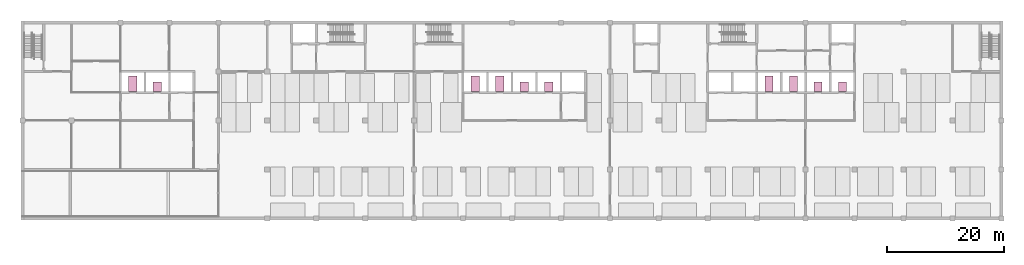
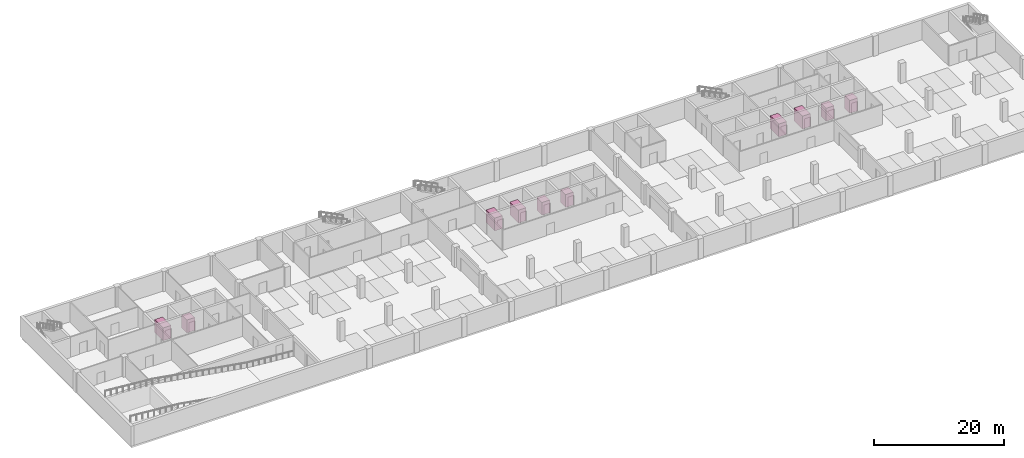
# One storey, part 12 of 14: 10 transport elements.
"""IFC4 building model written with IfcOpenShell, lengths in metres."""

from ifc_helpers import new_model, si_unit, direction, frame, origin, origin_2d, place, context, subcontext, project, spatial, rectangle, extrude, material, type_object, element, save


model = new_model("IFC4")

# Units and contexts
model_context = context("Model", 3, precision=1e-05, world=origin(), true_north=direction((0.0, 1.0)))
body_context = subcontext(model_context, "Body", "Model", "MODEL_VIEW")
ifc_project = project(units=[si_unit("LENGTHUNIT", "METRE"), si_unit("AREAUNIT", "SQUARE_METRE"), si_unit("VOLUMEUNIT", "CUBIC_METRE"), si_unit("PLANEANGLEUNIT", "RADIAN"), si_unit("MASSUNIT", "GRAM", prefix="KILO")], contexts=[model_context])

# Site, building, storey
site_placement = place(None, origin())
site = spatial("IfcSite", under=ifc_project, at=site_placement, CompositionType="ELEMENT")
building_placement = place(site_placement, origin())
building = spatial("IfcBuilding", under=site, at=building_placement, Name="Yavir Park General Hospital", CompositionType="ELEMENT")
storey_placement = place(building_placement, frame((0.0, 0.0, -4.199951171875)))
storey = spatial("IfcBuildingStorey", under=building, at=storey_placement, Name="B1", CompositionType="ELEMENT", Elevation=-4.199951171875)

# Transport elements
ifc_material_1 = material(Name="Stainless steel", Category="steel")
transport_element_type_1 = type_object("IfcTransportElementType", Name="Lift car 1400 x 1600 mm, 1000 kg", PredefinedType="ELEVATOR", material=ifc_material_1)
for number, where, z_axis, x_axis, name in (
    (1, (86.10009765625, 22.60009765625, 0.0), (0.0, 0.0, 1.0), (1.0, 0.0, 0.0), "Lift PL1"),
    (2, (90.300048828125, 22.60009765625, 0.0), (0.0, 0.0, 1.0), (1.0, 0.0, 0.0), "Lift PL2"),
    (3, (23.10009765625, 22.60009765625, 0.0), (0.0, 0.0, 1.0), (1.0, 0.0, 0.0), "Lift PL3"),
    (4, (136.5, 22.60009765625, 0.0), (0.0, 0.0, 1.0), (1.0, 0.0, 0.0), "Lift PL4"),
    (5, (140.699951171875, 22.60009765625, 0.0), (0.0, 0.0, 1.0), (1.0, 0.0, 0.0), "Lift PL5"),
):
    element("IfcTransportElement", number, at=place(storey_placement, frame(where, z_axis=z_axis, x_axis=x_axis)), inside=storey, type_object=transport_element_type_1, Name=name, PredefinedType="ELEVATOR", context=body_context, shape_type="SweptSolid", body=[
        extrude(rectangle(XDim=1.39990234375, YDim=1.60009765625, at=origin_2d()), origin(), (0.0, 0.0, 1.0), 2.39990234375),
    ])
ifc_material_2 = material(Name="Stainless steel", Category="steel")
transport_element_type_2 = type_object("IfcTransportElementType", Name="Lift car 1400 x 2600 mm, 2500 kg", PredefinedType="ELEVATOR", material=ifc_material_2)
for number, where, z_axis, x_axis, name in (
    (6, (77.699951171875, 23.10009765625, 0.0), (0.0, 0.0, 1.0), (1.0, 0.0, 0.0), "Lift BL1"),
    (7, (81.89990234375, 23.10009765625, 0.0), (0.0, 0.0, 1.0), (1.0, 0.0, 0.0), "Lift BL2"),
    (8, (18.89990234375, 23.10009765625, 0.0), (0.0, 0.0, 1.0), (1.0, 0.0, 0.0), "Lift BL3"),
    (9, (128.10009765625, 23.10009765625, 0.0), (0.0, 0.0, 1.0), (1.0, 0.0, 0.0), "Lift BL4"),
    (10, (132.300048828125, 23.10009765625, 0.0), (0.0, 0.0, 1.0), (1.0, 0.0, 0.0), "Lift BL5"),
):
    element("IfcTransportElement", number, at=place(storey_placement, frame(where, z_axis=z_axis, x_axis=x_axis)), inside=storey, type_object=transport_element_type_2, Name=name, PredefinedType="ELEVATOR", context=body_context, shape_type="SweptSolid", body=[
        extrude(rectangle(XDim=1.39990234375, YDim=2.60009765625, at=origin_2d()), origin(), (0.0, 0.0, 1.0), 2.39990234375),
    ])

save(model, "model.ifc")
